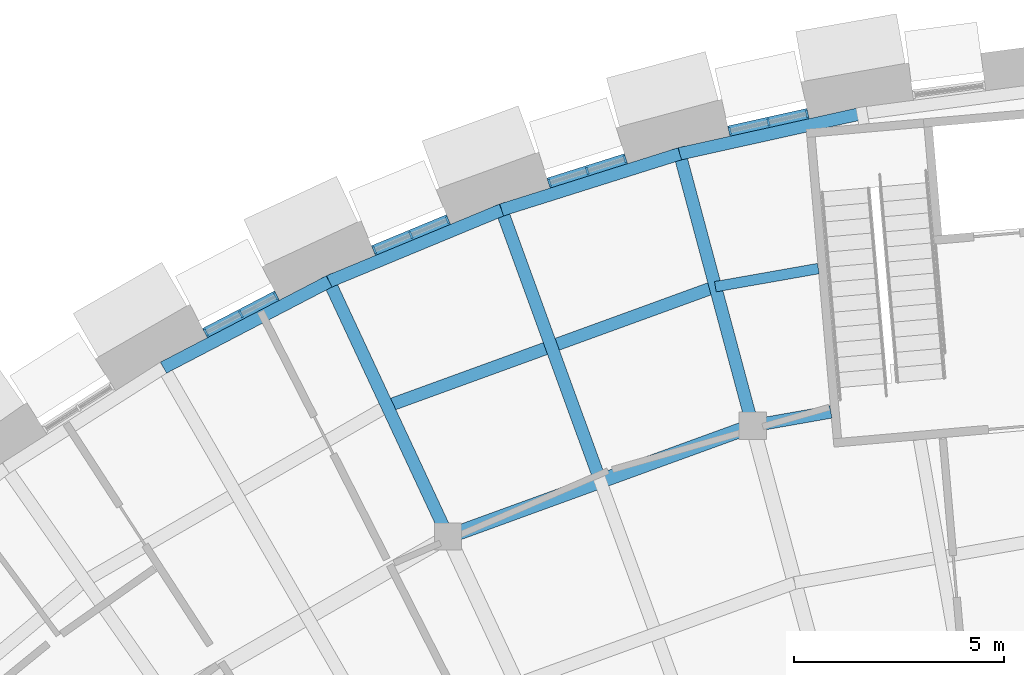
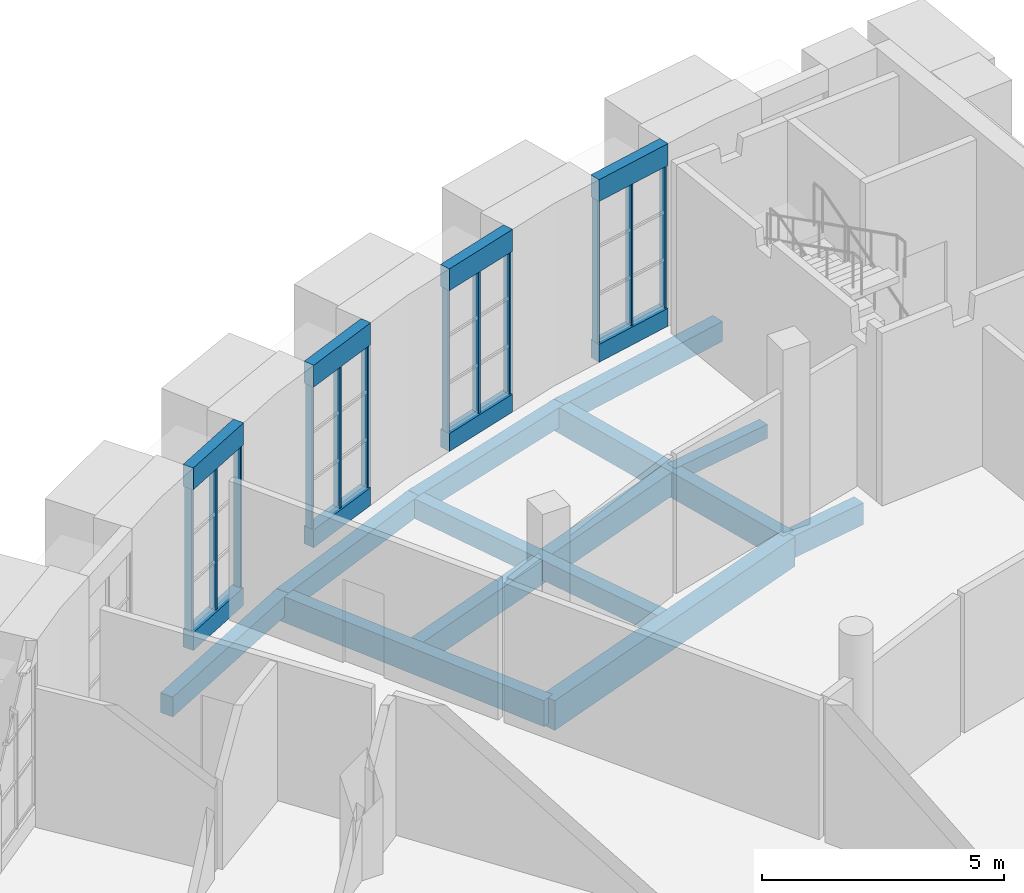
# One storey, part 20 of 66: 19 beams, 12 members, 4 elements without a shape of their own.
"""IFC4 building model written with IfcOpenShell, lengths in metres."""

from ifc_helpers import new_model, si_unit, direction, frame, origin, origin_2d, place, context, subcontext, project, spatial, rectangle, extrude, material, layer, layer_set, material_profile, profile_set, type_object, element, aggregate, save


model = new_model("IFC4")

# Units and contexts
model_context = context("Model", 3, precision=1e-05, world=origin(), true_north=direction((0.0, 1.0)))
body_context = subcontext(model_context, "Body", "Model", "MODEL_VIEW")
ifc_project = project(units=[si_unit("LENGTHUNIT", "METRE"), si_unit("AREAUNIT", "SQUARE_METRE"), si_unit("VOLUMEUNIT", "CUBIC_METRE"), si_unit("PLANEANGLEUNIT", "RADIAN"), si_unit("MASSUNIT", "GRAM", prefix="KILO")], contexts=[model_context])

# Site, building, storey
site_placement = place(None, origin())
site = spatial("IfcSite", under=ifc_project, at=site_placement, CompositionType="ELEMENT")
building_placement = place(site_placement, origin())
building = spatial("IfcBuilding", under=site, at=building_placement, Name="Volute Hill Aquarium", CompositionType="ELEMENT")
storey_placement = place(building_placement, frame((0.0, 0.0, 4.60009765625)))
storey = spatial("IfcBuildingStorey", under=building, at=storey_placement, Name="L02", CompositionType="ELEMENT", Elevation=4.60009765625)

# Beams
ifc_material_1 = material(Name="Concrete C35/45", Category="concrete")
ifc_material_profile_1 = material_profile(ifc_material_1, rectangle(XDim=0.300048828125, YDim=0.550048828125, at=origin_2d()), Name="RC beam 300x550")
ifc_profile_set_1 = profile_set([ifc_material_profile_1], Name="Concrete C35/45")
beam_type_1 = type_object("IfcBeamType", Name="Beam 300x550 C35/45", PredefinedType="BEAM", material=ifc_profile_set_1)
beam_1_placement = place(storey_placement, frame((-9.59033203125, 43.070556640625, -0.59521484375), z_axis=(-0.984808243338, -0.173645396866, 0.0), x_axis=(0.173645396866, -0.984808243338, 0.0)))
element("IfcBeam", 1, at=beam_1_placement, inside=storey, type_object=beam_type_1, Name="bm/S6/L02/ring3.27", PredefinedType="BEAM", context=body_context, shape_type="SweptSolid", body=[
    extrude(rectangle(XDim=0.300048828125, YDim=0.550048828125, at=origin_2d()), origin(), (0.0, 0.0, 1.0), 1.89111328125),
])
ifc_material_2 = material(Name="Concrete C35/45", Category="concrete")
ifc_material_profile_2 = material_profile(ifc_material_2, rectangle(XDim=0.300048828125, YDim=0.64990234375, at=origin_2d()), Name="RC beam 300x650")
ifc_profile_set_2 = profile_set([ifc_material_profile_2], Name="Concrete C35/45")
beam_type_2 = type_object("IfcBeamType", Name="Beam 300x650 C35/45", PredefinedType="BEAM", material=ifc_profile_set_2)
beam_2_placement = place(storey_placement, frame((-11.45263671875, 42.7421875, -0.64501953125), z_axis=(-0.258820408031, 0.965925461092, 0.0), x_axis=(-0.965925461092, -0.258820408031, 0.0)))
element("IfcBeam", 2, at=beam_2_placement, inside=storey, type_object=beam_type_2, Name="bm/S6/L02/rad1.4", PredefinedType="BEAM", context=body_context, shape_type="SweptSolid", body=[
    extrude(rectangle(XDim=0.300048828125, YDim=0.64990234375, at=origin_2d()), origin(), (0.0, 0.0, 1.0), 6.85009765625),
])
beam_3_placement = place(storey_placement, frame((-18.700927734375, 40.10400390625, -0.64501953125), z_axis=(-0.422596672801, 0.906317853812, 0.0), x_axis=(-0.906317853812, -0.422596672801, 0.0)))
element("IfcBeam", 3, at=beam_3_placement, inside=storey, type_object=beam_type_2, Name="bm/S6/L02/rad2.8", PredefinedType="BEAM", context=body_context, shape_type="SweptSolid", body=[
    extrude(rectangle(XDim=0.300048828125, YDim=0.64990234375, at=origin_2d()), origin(), (0.0, 0.0, 1.0), 6.849853515625),
])
ifc_material_3 = material(Name="Concrete C35/45", Category="concrete")
ifc_material_profile_3 = material_profile(ifc_material_3, rectangle(XDim=0.35009765625, YDim=0.75, at=origin_2d()), Name="RC beam 350x750")
ifc_profile_set_3 = profile_set([ifc_material_profile_3], Name="Concrete C35/45")
beam_type_3 = type_object("IfcBeamType", Name="Beam 350x750 C35/45", PredefinedType="BEAM", material=ifc_profile_set_3)
beam_4_placement = place(storey_placement, frame((-11.45263671875, 42.7421875, -0.695068359375), z_axis=(-0.939691728504, -0.34202259484, 0.0), x_axis=(0.34202259484, -0.939691728504, 0.0)))
element("IfcBeam", 4, at=beam_4_placement, inside=storey, type_object=beam_type_3, Name="bm/S6/L02/ring3.28", PredefinedType="BEAM", context=body_context, shape_type="SweptSolid", body=[
    extrude(rectangle(XDim=0.35009765625, YDim=0.75, at=origin_2d()), origin(), (0.0, 0.0, 1.0), 7.71337890625),
])

# Curtain wall, members
ifc_material_4 = material(Name="Aluminium", Category="aluminium")
ifc_layer = layer(ifc_material_4, 0.25)
ifc_layer_set = layer_set([ifc_layer], Name="Curtain wall niche S6 module 967")
curtain_wall_type = type_object("IfcCurtainWallType", Name="Curtain wall niche S6 module 967", PredefinedType="NOTDEFINED", material=ifc_layer_set)
curtain_wall_1_placement = place(storey_placement, origin())
curtain_wall_1 = element("IfcCurtainWall", 5, at=curtain_wall_1_placement, inside=storey, type_object=curtain_wall_type, Name="Curtain wall CW S6 L02 2", PredefinedType="NOTDEFINED")
ifc_material_5 = material(Name="Aluminium", Category="aluminium")
ifc_material_profile_4 = material_profile(ifc_material_5, rectangle(XDim=0.169921875, YDim=0.050048828125, at=origin_2d()), Name="Curtain wall mullion S6 50x170")
ifc_profile_set_4 = profile_set([ifc_material_profile_4], Name="Aluminium")
member_type = type_object("IfcMemberType", Name="Curtain wall mullion S6 50x170", PredefinedType="MULLION", material=ifc_profile_set_4)
member_1_placement = place(storey_placement, frame((-10.156982421875, 50.166748046875, 0.449951171875), z_axis=(0.0, 0.0, 1.0), x_axis=(0.216429433084, -0.976298264105, 0.0)))
member_1 = element("IfcMember", 6, at=member_1_placement, type_object=member_type, Name="CW mullion 1", PredefinedType="MULLION", context=body_context, shape_type="SweptSolid", body=[
    extrude(rectangle(XDim=0.169921875, YDim=0.050048828125, at=origin_2d()), origin(), (0.0, 0.0, 1.0), 3.599853515625),
])
member_2_placement = place(storey_placement, frame((-11.07666015625, 49.962890625, 0.449951171875), z_axis=(0.0, 0.0, 1.0), x_axis=(0.216429433084, -0.976298264105, 0.0)))
member_2 = element("IfcMember", 7, at=member_2_placement, type_object=member_type, Name="CW mullion 2", PredefinedType="MULLION", context=body_context, shape_type="SweptSolid", body=[
    extrude(rectangle(XDim=0.169921875, YDim=0.050048828125, at=origin_2d()), origin(), (0.0, 0.0, 1.0), 3.599853515625),
])
member_3_placement = place(storey_placement, frame((-11.99609375, 49.759033203125, 0.449951171875), z_axis=(0.0, 0.0, 1.0), x_axis=(0.216429433084, -0.976298264105, 0.0)))
member_3 = element("IfcMember", 8, at=member_3_placement, type_object=member_type, Name="CW mullion 3", PredefinedType="MULLION", context=body_context, shape_type="SweptSolid", body=[
    extrude(rectangle(XDim=0.169921875, YDim=0.050048828125, at=origin_2d()), origin(), (0.0, 0.0, 1.0), 3.599853515625),
])
aggregate(curtain_wall_1, [member_1, member_2, member_3])

curtain_wall_2_placement = place(storey_placement, origin())
curtain_wall_2 = element("IfcCurtainWall", 9, at=curtain_wall_2_placement, inside=storey, type_object=curtain_wall_type, Name="Curtain wall CW S6 L02 3", PredefinedType="NOTDEFINED")
member_4_placement = place(storey_placement, frame((-14.49072265625, 49.090576171875, 0.449951171875), z_axis=(0.0, 0.0, 1.0), x_axis=(0.300706406582, -0.953716759337, 0.0)))
member_4 = element("IfcMember", 10, at=member_4_placement, type_object=member_type, Name="CW mullion 1", PredefinedType="MULLION", context=body_context, shape_type="SweptSolid", body=[
    extrude(rectangle(XDim=0.169921875, YDim=0.050048828125, at=origin_2d()), origin(), (0.0, 0.0, 1.0), 3.599853515625),
])
member_5_placement = place(storey_placement, frame((-15.388916015625, 48.807373046875, 0.449951171875), z_axis=(0.0, 0.0, 1.0), x_axis=(0.300706406582, -0.953716759337, 0.0)))
member_5 = element("IfcMember", 11, at=member_5_placement, type_object=member_type, Name="CW mullion 2", PredefinedType="MULLION", context=body_context, shape_type="SweptSolid", body=[
    extrude(rectangle(XDim=0.169921875, YDim=0.050048828125, at=origin_2d()), origin(), (0.0, 0.0, 1.0), 3.599853515625),
])
member_6_placement = place(storey_placement, frame((-16.287109375, 48.524169921875, 0.449951171875), z_axis=(0.0, 0.0, 1.0), x_axis=(0.300706406582, -0.953716759337, 0.0)))
member_6 = element("IfcMember", 12, at=member_6_placement, type_object=member_type, Name="CW mullion 3", PredefinedType="MULLION", context=body_context, shape_type="SweptSolid", body=[
    extrude(rectangle(XDim=0.169921875, YDim=0.050048828125, at=origin_2d()), origin(), (0.0, 0.0, 1.0), 3.599853515625),
])
aggregate(curtain_wall_2, [member_4, member_5, member_6])

curtain_wall_3_placement = place(storey_placement, origin())
curtain_wall_3 = element("IfcCurtainWall", 13, at=curtain_wall_3_placement, inside=storey, type_object=curtain_wall_type, Name="Curtain wall CW S6 L02 4", PredefinedType="NOTDEFINED")
member_7_placement = place(storey_placement, frame((-18.7138671875, 47.640869140625, 0.449951171875), z_axis=(0.0, 0.0, 1.0), x_axis=(0.382679860378, -0.923881012069, 0.0)))
member_7 = element("IfcMember", 14, at=member_7_placement, type_object=member_type, Name="CW mullion 1", PredefinedType="MULLION", context=body_context, shape_type="SweptSolid", body=[
    extrude(rectangle(XDim=0.169921875, YDim=0.050048828125, at=origin_2d()), origin(), (0.0, 0.0, 1.0), 3.599853515625),
])
member_8_placement = place(storey_placement, frame((-19.584228515625, 47.280517578125, 0.449951171875), z_axis=(0.0, 0.0, 1.0), x_axis=(0.382679860378, -0.923881012069, 0.0)))
member_8 = element("IfcMember", 15, at=member_8_placement, type_object=member_type, Name="CW mullion 2", PredefinedType="MULLION", context=body_context, shape_type="SweptSolid", body=[
    extrude(rectangle(XDim=0.169921875, YDim=0.050048828125, at=origin_2d()), origin(), (0.0, 0.0, 1.0), 3.599853515625),
])
member_9_placement = place(storey_placement, frame((-20.454345703125, 46.919921875, 0.449951171875), z_axis=(0.0, 0.0, 1.0), x_axis=(0.382679860378, -0.923881012069, 0.0)))
member_9 = element("IfcMember", 16, at=member_9_placement, type_object=member_type, Name="CW mullion 3", PredefinedType="MULLION", context=body_context, shape_type="SweptSolid", body=[
    extrude(rectangle(XDim=0.169921875, YDim=0.050048828125, at=origin_2d()), origin(), (0.0, 0.0, 1.0), 3.599853515625),
])
aggregate(curtain_wall_3, [member_7, member_8, member_9])

curtain_wall_4_placement = place(storey_placement, origin())
curtain_wall_4 = element("IfcCurtainWall", 17, at=curtain_wall_4_placement, inside=storey, type_object=curtain_wall_type, Name="Curtain wall CW S6 L02 5", PredefinedType="NOTDEFINED")
member_10_placement = place(storey_placement, frame((-22.794921875, 45.82861328125, 0.449951171875), z_axis=(0.0, 0.0, 1.0), x_axis=(0.461759580356, -0.88700512397, 0.0)))
member_10 = element("IfcMember", 18, at=member_10_placement, type_object=member_type, Name="CW mullion 1", PredefinedType="MULLION", context=body_context, shape_type="SweptSolid", body=[
    extrude(rectangle(XDim=0.169921875, YDim=0.050048828125, at=origin_2d()), origin(), (0.0, 0.0, 1.0), 3.599853515625),
])
member_11_placement = place(storey_placement, frame((-23.63037109375, 45.3935546875, 0.449951171875), z_axis=(0.0, 0.0, 1.0), x_axis=(0.461759580356, -0.88700512397, 0.0)))
member_11 = element("IfcMember", 19, at=member_11_placement, type_object=member_type, Name="CW mullion 2", PredefinedType="MULLION", context=body_context, shape_type="SweptSolid", body=[
    extrude(rectangle(XDim=0.169921875, YDim=0.050048828125, at=origin_2d()), origin(), (0.0, 0.0, 1.0), 3.599853515625),
])
member_12_placement = place(storey_placement, frame((-24.4658203125, 44.958740234375, 0.449951171875), z_axis=(0.0, 0.0, 1.0), x_axis=(0.461759580356, -0.88700512397, 0.0)))
member_12 = element("IfcMember", 20, at=member_12_placement, type_object=member_type, Name="CW mullion 3", PredefinedType="MULLION", context=body_context, shape_type="SweptSolid", body=[
    extrude(rectangle(XDim=0.169921875, YDim=0.050048828125, at=origin_2d()), origin(), (0.0, 0.0, 1.0), 3.599853515625),
])
aggregate(curtain_wall_4, [member_10, member_11, member_12])

# Beams
ifc_material_6 = material(Name="Concrete C35/45", Category="concrete")
ifc_material_profile_5 = material_profile(ifc_material_6, rectangle(XDim=0.300048828125, YDim=0.5, at=origin_2d()), Name="RC edge beam 300x500")
ifc_profile_set_5 = profile_set([ifc_material_profile_5], Name="Concrete C35/45")
beam_type_4 = type_object("IfcBeamType", Name="Edge beam 300x500 C35/45", PredefinedType="BEAM", material=ifc_profile_set_5)
beam_5_placement = place(storey_placement, frame((-8.847412109375, 50.17578125, -0.570068359375), z_axis=(-0.976300660498, -0.21641862284, 0.0), x_axis=(0.21641862284, -0.976300660498, 0.0)))
element("IfcBeam", 21, at=beam_5_placement, inside=storey, type_object=beam_type_4, Name="bm/S6/L02/edgeO.43", PredefinedType="BEAM", context=body_context, shape_type="SweptSolid", body=[
    extrude(rectangle(XDim=0.300048828125, YDim=0.5, at=origin_2d()), origin(), (0.0, 0.0, 1.0), 4.444580078125),
])
for number, where, z_axis, x_axis, name in (
    (22, (-13.186767578125, 49.2138671875, -0.570068359375), (-0.953709591964, -0.300729137591, 0.0), (0.300729137591, -0.953709591964, 0.0), "bm/S6/L02/edgeO.44"),
    (23, (-17.42578125, 47.877197265625, -0.570068359375), (-0.923880933045, -0.382680051161, 0.0), (0.382680051161, -0.923880933045, 0.0), "bm/S6/L02/edgeO.45"),
    (24, (-21.5322265625, 46.17626953125, -0.570068359375), (-0.887002673566, -0.461764287366, 0.0), (0.461764287366, -0.887002673566, 0.0), "bm/S6/L02/edgeO.46"),
):
    element("IfcBeam", number, at=place(storey_placement, frame(where, z_axis=z_axis, x_axis=x_axis)), inside=storey, type_object=beam_type_4, Name=name, PredefinedType="BEAM", context=body_context, shape_type="SweptSolid", body=[
        extrude(rectangle(XDim=0.300048828125, YDim=0.5, at=origin_2d()), origin(), (0.0, 0.0, 1.0), 4.44482421875),
    ])
ifc_material_7 = material(Name="Concrete C35/45", Category="concrete")
ifc_material_profile_6 = material_profile(ifc_material_7, rectangle(XDim=0.25, YDim=0.35009765625, at=origin_2d()), Name="RC joist 250x350")
ifc_profile_set_6 = profile_set([ifc_material_profile_6], Name="Concrete C35/45")
beam_type_5 = type_object("IfcBeamType", Name="Joist 250x350 C35/45", PredefinedType="BEAM", material=ifc_profile_set_6)
beam_6_placement = place(storey_placement, frame((-9.888916015625, 46.482666015625, -0.4951171875), z_axis=(-0.984801335043, -0.173684571844, 0.0), x_axis=(0.173684571844, -0.984801335043, 0.0)))
element("IfcBeam", 25, at=beam_6_placement, inside=storey, type_object=beam_type_5, Name="bm/S6/L02/jst16", PredefinedType="BEAM", context=body_context, shape_type="SweptSolid", body=[
    extrude(rectangle(XDim=0.25, YDim=0.35009765625, at=origin_2d()), origin(), (0.0, 0.0, 1.0), 2.488037109375),
])
ifc_material_8 = material(Name="Concrete C35/45", Category="concrete")
ifc_material_profile_7 = material_profile(ifc_material_8, rectangle(XDim=0.300048828125, YDim=0.5, at=origin_2d()), Name="RC joist 300x500")
ifc_profile_set_7 = profile_set([ifc_material_profile_7], Name="Concrete C35/45")
beam_type_6 = type_object("IfcBeamType", Name="Joist 300x500 C35/45", PredefinedType="BEAM", material=ifc_profile_set_7)
beam_7_placement = place(storey_placement, frame((-15.134521484375, 41.581298828125, -0.570068359375), z_axis=(-0.342006321172, 0.939697651523, 0.0), x_axis=(-0.939697651523, -0.342006321172, 0.0)))
element("IfcBeam", 26, at=beam_7_placement, inside=storey, type_object=beam_type_6, Name="bm/S6/L02/rjst7", PredefinedType="BEAM", context=body_context, shape_type="SweptSolid", body=[
    extrude(rectangle(XDim=0.300048828125, YDim=0.5, at=origin_2d()), origin(), (0.0, 0.0, 1.0), 6.85009765625),
])
ifc_material_9 = material(Name="Concrete C35/45", Category="concrete")
ifc_material_profile_8 = material_profile(ifc_material_9, rectangle(XDim=0.300048828125, YDim=0.60009765625, at=origin_2d()), Name="RC joist 300x600")
ifc_profile_set_8 = profile_set([ifc_material_profile_8], Name="Concrete C35/45")
beam_type_7 = type_object("IfcBeamType", Name="Joist 300x600 C35/45", PredefinedType="BEAM", material=ifc_profile_set_8)
beam_8_placement = place(storey_placement, frame((-12.339111328125, 46.050537109375, -0.6201171875), z_axis=(-0.939692166751, -0.342021390774, 0.0), x_axis=(0.342021390774, -0.939692166751, 0.0)))
element("IfcBeam", 27, at=beam_8_placement, inside=storey, type_object=beam_type_7, Name="bm/S6/L02/jst17", PredefinedType="BEAM", context=body_context, shape_type="SweptSolid", body=[
    extrude(rectangle(XDim=0.300048828125, YDim=0.60009765625, at=origin_2d()), origin(), (0.0, 0.0, 1.0), 8.310302734375),
])
ifc_material_10 = material(Name="Concrete C35/45", Category="concrete")
ifc_material_profile_9 = material_profile(ifc_material_10, rectangle(XDim=0.25, YDim=0.550048828125, at=origin_2d()), Name="RC beam 250x550")
ifc_profile_set_9 = profile_set([ifc_material_profile_9], Name="Concrete C35/45")
beam_type_8 = type_object("IfcBeamType", Name="Niche head beam RC 250x550 C35/45", PredefinedType="BEAM", material=ifc_profile_set_9)
for number, where, z_axis, x_axis, name in (
    (28, (-10.132568359375, 50.172119140625, 4.324951171875), (-0.97630573903, -0.216395711457, 0.0), (0.216395711457, -0.97630573903, 0.0), "Niche head beam OWB S6 L02 2"),
    (29, (-14.466796875, 49.09814453125, 4.324951171875), (-0.953708515851, -0.300732550272, 0.0), (0.300732550272, -0.953708515851, 0.0), "Niche head beam OWB S6 L02 3"),
    (30, (-18.69091796875, 47.650390625, 4.324951171875), (-0.923889122179, -0.382660280039, 0.0), (0.382660280039, -0.923889122179, 0.0), "Niche head beam OWB S6 L02 4"),
    (31, (-22.772705078125, 45.840087890625, 4.324951171875), (-0.887036898241, -0.461698539264, 0.0), (0.461698539264, -0.887036898241, 0.0), "Niche head beam OWB S6 L02 5"),
):
    element("IfcBeam", number, at=place(storey_placement, frame(where, z_axis=z_axis, x_axis=x_axis)), inside=storey, type_object=beam_type_8, Name=name, PredefinedType="BEAM", context=body_context, shape_type="SweptSolid", body=[
        extrude(rectangle(XDim=0.25, YDim=0.550048828125, at=origin_2d()), origin(), (0.0, 0.0, 1.0), 1.933837890625),
    ])
ifc_material_11 = material(Name="Concrete C35/45", Category="concrete")
ifc_material_profile_10 = material_profile(ifc_material_11, rectangle(XDim=0.25, YDim=0.449951171875, at=origin_2d()), Name="RC beam 250x450")
ifc_profile_set_10 = profile_set([ifc_material_profile_10], Name="Concrete C35/45")
beam_type_9 = type_object("IfcBeamType", Name="Niche sill beam RC 250x450 C35/45", PredefinedType="BEAM", material=ifc_profile_set_10)
for number, where, z_axis, x_axis, name in (
    (32, (-10.132568359375, 50.172119140625, 0.224853515625), (-0.97630573903, -0.216395711457, 0.0), (0.216395711457, -0.97630573903, 0.0), "Niche sill beam OWB S6 L02 2"),
    (33, (-14.466796875, 49.09814453125, 0.224853515625), (-0.953708515851, -0.300732550272, 0.0), (0.300732550272, -0.953708515851, 0.0), "Niche sill beam OWB S6 L02 3"),
    (34, (-18.69091796875, 47.650390625, 0.224853515625), (-0.923889122179, -0.382660280039, 0.0), (0.382660280039, -0.923889122179, 0.0), "Niche sill beam OWB S6 L02 4"),
    (35, (-22.772705078125, 45.840087890625, 0.224853515625), (-0.887036898241, -0.461698539264, 0.0), (0.461698539264, -0.887036898241, 0.0), "Niche sill beam OWB S6 L02 5"),
):
    element("IfcBeam", number, at=place(storey_placement, frame(where, z_axis=z_axis, x_axis=x_axis)), inside=storey, type_object=beam_type_9, Name=name, PredefinedType="BEAM", context=body_context, shape_type="SweptSolid", body=[
        extrude(rectangle(XDim=0.25, YDim=0.449951171875, at=origin_2d()), origin(), (0.0, 0.0, 1.0), 1.933837890625),
    ])

save(model, "model.ifc")
